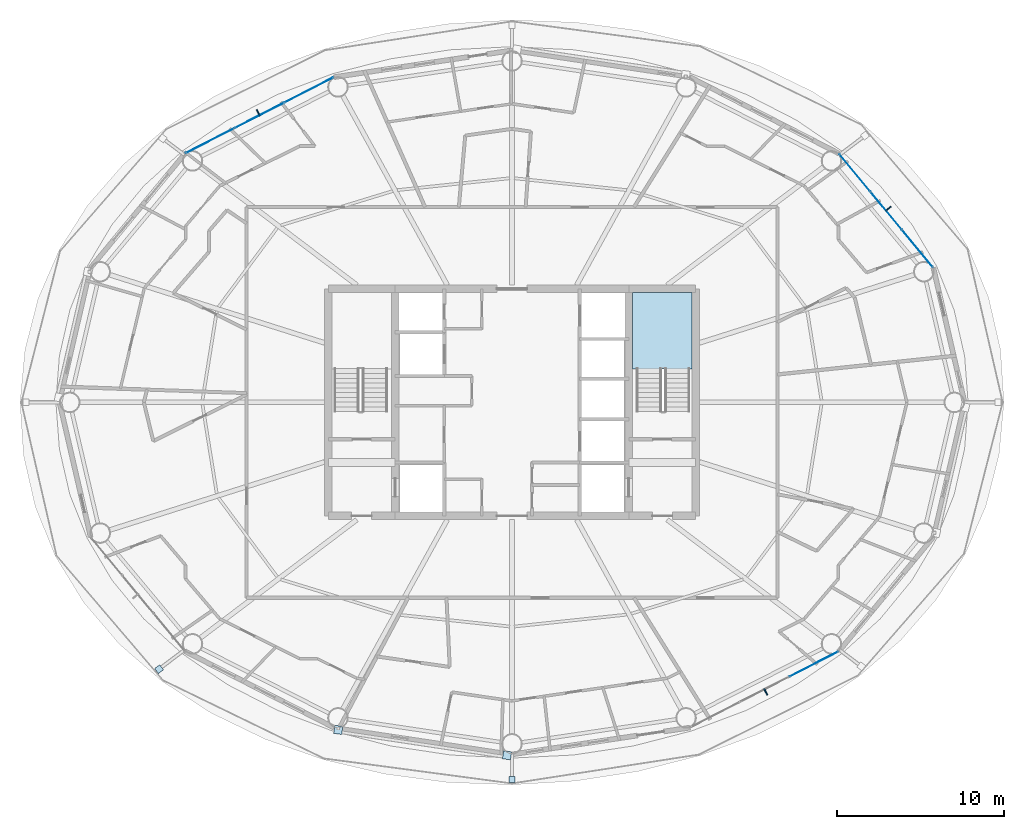
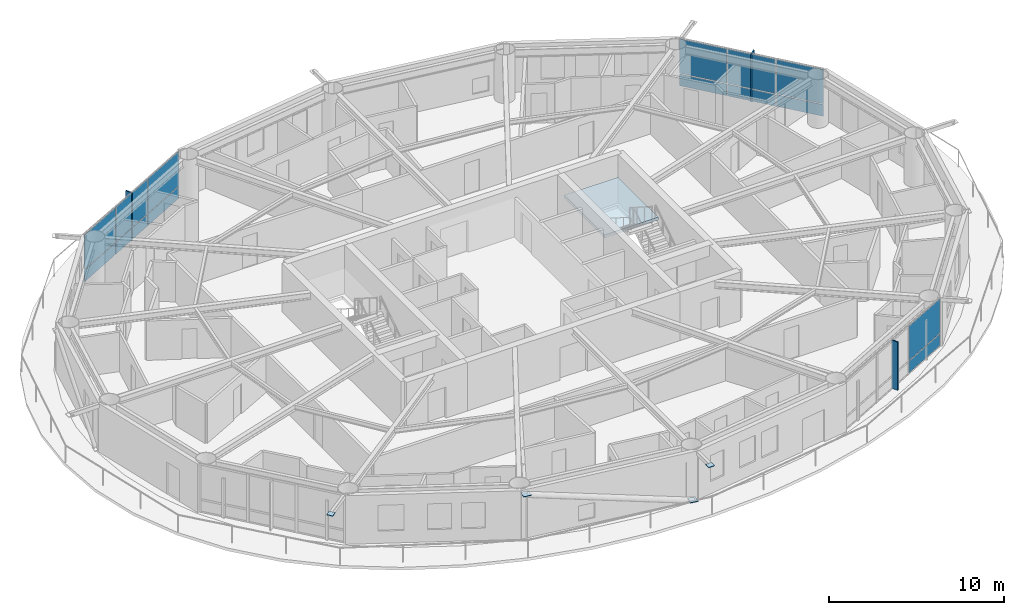
# One storey, part 18 of 27: 21 plates, 1 slab, 4 elements without a shape of their own.
"""IFC4 building model written with IfcOpenShell, lengths in metres."""

from ifc_helpers import new_model, si_unit, direction, frame, origin, origin_2d, place, context, subcontext, project, spatial, polyline, rectangle, outline, extrude, material, layer, layer_set, type_object, element, aggregate, save


model = new_model("IFC4")

# Units and contexts
model_context = context("Model", 3, precision=1e-05, world=origin(), true_north=direction((0.0, 1.0)))
body_context = subcontext(model_context, "Body", "Model", "MODEL_VIEW")
ifc_project = project(units=[si_unit("LENGTHUNIT", "METRE"), si_unit("AREAUNIT", "SQUARE_METRE"), si_unit("VOLUMEUNIT", "CUBIC_METRE"), si_unit("PLANEANGLEUNIT", "RADIAN"), si_unit("MASSUNIT", "GRAM", prefix="KILO")], contexts=[model_context])

# Site, building, storey
site_placement = place(None, origin())
site = spatial("IfcSite", under=ifc_project, at=site_placement, CompositionType="ELEMENT")
building_placement = place(site_placement, origin())
building = spatial("IfcBuilding", under=site, at=building_placement, Name="Sarneth Arch Tower", CompositionType="ELEMENT")
storey_placement = place(building_placement, frame((0.0, 0.0, 193.800048828125)))
storey = spatial("IfcBuildingStorey", under=building, at=storey_placement, Name="L49", CompositionType="ELEMENT", Elevation=193.800048828125)

# Curtain wall, plates
ifc_material_1 = material(Name="Anodised aluminium Type AA25 and solar-control low-e laminated IGU", Category="aluminium")
ifc_layer_1 = layer(ifc_material_1, 0.169921875)
ifc_layer_set_1 = layer_set([ifc_layer_1], Name="Anodised aluminium Type AA25 and solar-control low-e laminated IGU")
curtain_wall_type = type_object("IfcCurtainWallType", Name="CW-RES-MID", PredefinedType="NOTDEFINED", material=ifc_layer_set_1)
curtain_wall_1_placement = place(storey_placement, origin())
curtain_wall_1 = element("IfcCurtainWall", 1, at=curtain_wall_1_placement, inside=storey, type_object=curtain_wall_type, Name="L49 Unitised curtain wall facet 02", PredefinedType="NOTDEFINED")
ifc_material_2 = material(Name="Solar-control low-e laminated IGU", Category="glass")
ifc_layer_2 = layer(ifc_material_2, 0.028076171875)
ifc_layer_set_2 = layer_set([ifc_layer_2], Name="Solar-control low-e laminated IGU")
plate_type_1 = type_object("IfcPlateType", Name="CW-PANEL", PredefinedType="CURTAIN_PANEL", material=ifc_layer_set_2)
plate_1_placement = place(storey_placement, frame((72.280029296875, 51.21826171875, 0.059814453125), z_axis=(0.0, 0.0, 1.0), x_axis=(-0.637330298558, 0.770590741276, 0.0)))
plate_1 = element("IfcPlate", 2, at=plate_1_placement, type_object=plate_type_1, Name="Curtain wall glazed vision pane CW-L49-F02/P00-00", PredefinedType="CURTAIN_PANEL", context=body_context, shape_type="SweptSolid", body=[
    extrude(rectangle(XDim=2.8681640625, YDim=0.028076171875, at=origin_2d()), origin(), (0.0, 0.0, 1.0), 0.81005859375),
])
plate_2_placement = place(storey_placement, frame((72.280029296875, 51.21826171875, 0.93017578125), z_axis=(0.0, 0.0, 1.0), x_axis=(-0.637330298558, 0.770590741276, 0.0)))
plate_2 = element("IfcPlate", 3, at=plate_2_placement, type_object=plate_type_1, Name="Curtain wall glazed vision pane CW-L49-F02/P00-01", PredefinedType="CURTAIN_PANEL", context=body_context, shape_type="SweptSolid", body=[
    extrude(rectangle(XDim=2.8681640625, YDim=0.028076171875, at=origin_2d()), origin(), (0.0, 0.0, 1.0), 2.389892578125),
])
plate_3_placement = place(storey_placement, frame((70.404296875, 53.486328125, 0.059814453125), z_axis=(0.0, 0.0, 1.0), x_axis=(-0.637330298558, 0.770590741276, 0.0)))
plate_3 = element("IfcPlate", 4, at=plate_3_placement, type_object=plate_type_1, Name="Curtain wall glazed vision pane CW-L49-F02/P01-00", PredefinedType="CURTAIN_PANEL", context=body_context, shape_type="SweptSolid", body=[
    extrude(rectangle(XDim=2.898193359375, YDim=0.028076171875, at=origin_2d()), origin(), (0.0, 0.0, 1.0), 0.81005859375),
])
plate_4_placement = place(storey_placement, frame((70.404296875, 53.486328125, 0.93017578125), z_axis=(0.0, 0.0, 1.0), x_axis=(-0.637330298558, 0.770590741276, 0.0)))
plate_4 = element("IfcPlate", 5, at=plate_4_placement, type_object=plate_type_1, Name="Curtain wall glazed vision pane CW-L49-F02/P01-01", PredefinedType="CURTAIN_PANEL", context=body_context, shape_type="SweptSolid", body=[
    extrude(rectangle(XDim=2.898193359375, YDim=0.028076171875, at=origin_2d()), origin(), (0.0, 0.0, 1.0), 2.389892578125),
])
plate_5_placement = place(storey_placement, frame((68.5283203125, 55.75439453125, 0.059814453125), z_axis=(0.0, 0.0, 1.0), x_axis=(-0.637330298558, 0.770590741276, 0.0)))
plate_5 = element("IfcPlate", 6, at=plate_5_placement, type_object=plate_type_1, Name="Curtain wall glazed vision pane CW-L49-F02/P02-00", PredefinedType="CURTAIN_PANEL", context=body_context, shape_type="SweptSolid", body=[
    extrude(rectangle(XDim=2.8681640625, YDim=0.028076171875, at=origin_2d()), origin(), (0.0, 0.0, 1.0), 0.81005859375),
])
plate_6_placement = place(storey_placement, frame((68.5283203125, 55.75439453125, 0.93017578125), z_axis=(0.0, 0.0, 1.0), x_axis=(-0.637330298558, 0.770590741276, 0.0)))
plate_6 = element("IfcPlate", 7, at=plate_6_placement, type_object=plate_type_1, Name="Curtain wall glazed vision pane CW-L49-F02/P02-01", PredefinedType="CURTAIN_PANEL", context=body_context, shape_type="SweptSolid", body=[
    extrude(rectangle(XDim=2.8681640625, YDim=0.028076171875, at=origin_2d()), origin(), (0.0, 0.0, 1.0), 2.389892578125),
])
aggregate(curtain_wall_1, [plate_1, plate_2, plate_3, plate_4, plate_5, plate_6])

curtain_wall_2_placement = place(storey_placement, origin())
curtain_wall_2 = element("IfcCurtainWall", 8, at=curtain_wall_2_placement, inside=storey, type_object=curtain_wall_type, Name="L49 Unitised curtain wall facet 06", PredefinedType="NOTDEFINED")
plate_7_placement = place(storey_placement, frame((35.83837890625, 60.70703125, 0.059814453125), z_axis=(0.0, 0.0, 1.0), x_axis=(-0.88987293003, -0.456208470329, 0.0)))
plate_7 = element("IfcPlate", 9, at=plate_7_placement, type_object=plate_type_1, Name="Curtain wall glazed vision pane CW-L49-F06/P00-00", PredefinedType="CURTAIN_PANEL", context=body_context, shape_type="SweptSolid", body=[
    extrude(rectangle(XDim=3.248779296875, YDim=0.028076171875, at=origin_2d()), origin(), (0.0, 0.0, 1.0), 0.81005859375),
])
plate_8_placement = place(storey_placement, frame((35.83837890625, 60.70703125, 0.93017578125), z_axis=(0.0, 0.0, 1.0), x_axis=(-0.88987293003, -0.456208470329, 0.0)))
plate_8 = element("IfcPlate", 10, at=plate_8_placement, type_object=plate_type_1, Name="Curtain wall glazed vision pane CW-L49-F06/P00-01", PredefinedType="CURTAIN_PANEL", context=body_context, shape_type="SweptSolid", body=[
    extrude(rectangle(XDim=3.248779296875, YDim=0.028076171875, at=origin_2d()), origin(), (0.0, 0.0, 1.0), 2.389892578125),
])
plate_9_placement = place(storey_placement, frame((32.880615234375, 59.190673828125, 0.059814453125), z_axis=(0.0, 0.0, 1.0), x_axis=(-0.88987293003, -0.456208470329, 0.0)))
plate_9 = element("IfcPlate", 11, at=plate_9_placement, type_object=plate_type_1, Name="Curtain wall glazed vision pane CW-L49-F06/P01-00", PredefinedType="CURTAIN_PANEL", context=body_context, shape_type="SweptSolid", body=[
    extrude(rectangle(XDim=3.27880859375, YDim=0.028076171875, at=origin_2d()), origin(), (0.0, 0.0, 1.0), 0.81005859375),
])
plate_10_placement = place(storey_placement, frame((32.880615234375, 59.190673828125, 0.93017578125), z_axis=(0.0, 0.0, 1.0), x_axis=(-0.88987293003, -0.456208470329, 0.0)))
plate_10 = element("IfcPlate", 12, at=plate_10_placement, type_object=plate_type_1, Name="Curtain wall glazed vision pane CW-L49-F06/P01-01", PredefinedType="CURTAIN_PANEL", context=body_context, shape_type="SweptSolid", body=[
    extrude(rectangle(XDim=3.27880859375, YDim=0.028076171875, at=origin_2d()), origin(), (0.0, 0.0, 1.0), 2.389892578125),
])
plate_11_placement = place(storey_placement, frame((29.9228515625, 57.67431640625, 0.059814453125), z_axis=(0.0, 0.0, 1.0), x_axis=(-0.88987293003, -0.456208470329, 0.0)))
plate_11 = element("IfcPlate", 13, at=plate_11_placement, type_object=plate_type_1, Name="Curtain wall glazed vision pane CW-L49-F06/P02-00", PredefinedType="CURTAIN_PANEL", context=body_context, shape_type="SweptSolid", body=[
    extrude(rectangle(XDim=3.248779296875, YDim=0.028076171875, at=origin_2d()), origin(), (0.0, 0.0, 1.0), 0.81005859375),
])
plate_12_placement = place(storey_placement, frame((29.9228515625, 57.67431640625, 0.93017578125), z_axis=(0.0, 0.0, 1.0), x_axis=(-0.88987293003, -0.456208470329, 0.0)))
plate_12 = element("IfcPlate", 14, at=plate_12_placement, type_object=plate_type_1, Name="Curtain wall glazed vision pane CW-L49-F06/P02-01", PredefinedType="CURTAIN_PANEL", context=body_context, shape_type="SweptSolid", body=[
    extrude(rectangle(XDim=3.248779296875, YDim=0.028076171875, at=origin_2d()), origin(), (0.0, 0.0, 1.0), 2.389892578125),
])
aggregate(curtain_wall_2, [plate_7, plate_8, plate_9, plate_10, plate_11, plate_12])

curtain_wall_3_placement = place(storey_placement, origin())
curtain_wall_3 = element("IfcCurtainWall", 15, at=curtain_wall_3_placement, inside=storey, type_object=curtain_wall_type, Name="L49 Unitised curtain wall facet 14", PredefinedType="NOTDEFINED")
plate_13_placement = place(storey_placement, frame((66.0771484375, 26.32568359375, 0.059814453125), z_axis=(0.0, 0.0, 1.0), x_axis=(0.88987293003, 0.456208470329, 0.0)))
plate_13 = element("IfcPlate", 16, at=plate_13_placement, type_object=plate_type_1, Name="Curtain wall glazed vision pane CW-L49-F14/P02-00", PredefinedType="CURTAIN_PANEL", context=body_context, shape_type="SweptSolid", body=[
    extrude(rectangle(XDim=3.248779296875, YDim=0.028076171875, at=origin_2d()), origin(), (0.0, 0.0, 1.0), 0.81005859375),
])
plate_14_placement = place(storey_placement, frame((66.0771484375, 26.32568359375, 0.93017578125), z_axis=(0.0, 0.0, 1.0), x_axis=(0.88987293003, 0.456208470329, 0.0)))
plate_14 = element("IfcPlate", 17, at=plate_14_placement, type_object=plate_type_1, Name="Curtain wall glazed vision pane CW-L49-F14/P02-01", PredefinedType="CURTAIN_PANEL", context=body_context, shape_type="SweptSolid", body=[
    extrude(rectangle(XDim=3.248779296875, YDim=0.028076171875, at=origin_2d()), origin(), (0.0, 0.0, 1.0), 2.389892578125),
])
aggregate(curtain_wall_3, [plate_13, plate_14])

# Plates
ifc_material_3 = material(Name="Steel S355", Category="steel")
ifc_layer_3 = layer(ifc_material_3, 0.035888671875)
ifc_layer_set_3 = layer_set([ifc_layer_3], Name="Steel S355")
plate_type_2 = type_object("IfcPlateType", Name="PLT-GUSSET-30", PredefinedType="SHEET", material=ifc_layer_set_3)
plate_15_placement = place(storey_placement, frame((26.86181640625, 26.02490234375, 3.2021484375), z_axis=(0.0, 0.0, 1.0), x_axis=(-0.797794439539, -0.602929541689, 0.0)))
element("IfcPlate", 18, at=plate_15_placement, inside=storey, type_object=plate_type_2, Name="Steel end cap plate GP-1", PredefinedType="SHEET", context=body_context, shape_type="SweptSolid", body=[
    extrude(rectangle(XDim=0.3798828125, YDim=0.3798828125, at=origin_2d()), origin(), (0.0, 0.0, 1.0), 0.035888671875),
])
for number, where, z_axis, x_axis, name in (
    (19, (47.703369140625, 20.86474609375, 0.001953125), (0.0, 0.0, 1.0), (0.98883454203, -0.149017611339, 0.0), "Steel end cap plate GP-1"),
    (20, (37.595703125, 22.387451171875, 3.03271484375), (0.0, 0.0, 1.0), (0.98883454203, -0.149017611339, 0.0), "Steel end cap plate GP-1"),
):
    element("IfcPlate", number, at=place(storey_placement, frame(where, z_axis=z_axis, x_axis=x_axis)), inside=storey, type_object=plate_type_2, Name=name, PredefinedType="SHEET", context=body_context, shape_type="SweptSolid", body=[
        extrude(rectangle(XDim=0.486083984375, YDim=0.486083984375, at=origin_2d()), origin(), (0.0, 0.0, 1.0), 0.035888671875),
    ])
plate_16_placement = place(storey_placement, frame((48.0, 19.4130859375, 3.2021484375), z_axis=(0.0, 0.0, 1.0), x_axis=(0.0, -1.0, 0.0)))
element("IfcPlate", 21, at=plate_16_placement, inside=storey, type_object=plate_type_2, Name="Steel end cap plate GP-1", PredefinedType="SHEET", context=body_context, shape_type="SweptSolid", body=[
    extrude(rectangle(XDim=0.3798828125, YDim=0.3798828125, at=origin_2d()), origin(), (0.0, 0.0, 1.0), 0.035888671875),
])
ifc_material_4 = material(Name="Extruded glazed terracotta baguette fin on Aluminium 6063-T6 carrier", Category="masonry")
ifc_layer_4 = layer(ifc_material_4, 0.080078125)
ifc_layer_set_4 = layer_set([ifc_layer_4], Name="Extruded glazed terracotta baguette fin on Aluminium 6063-T6 carrier")
plate_type_3 = type_object("IfcPlateType", Name="SHADE-TERRA-FIN", PredefinedType="SHEET", material=ifc_layer_set_4)
for number, where, z_axis, x_axis, name in (
    (22, (70.53515625, 53.5947265625, 0.009765625), (0.0, 0.0, 1.0), (0.770624482513, 0.637289500111, 0.0), "L49 Terracotta vertical shading fin 02"),
    (23, (32.802978515625, 59.341796875, 0.009765625), (0.0, 0.0, 1.0), (-0.456166281949, 0.889894557357, 0.0), "L49 Terracotta vertical shading fin 06"),
    (24, (63.197021484375, 24.658203125, 0.009765625), (0.0, 0.0, 1.0), (0.456166281949, -0.889894557357, 0.0), "L49 Terracotta vertical shading fin 14"),
):
    element("IfcPlate", number, at=place(storey_placement, frame(where, z_axis=z_axis, x_axis=x_axis)), inside=storey, type_object=plate_type_3, Name=name, PredefinedType="SHEET", context=body_context, shape_type="SweptSolid", body=[
        extrude(rectangle(XDim=0.419921875, YDim=0.080078125, at=origin_2d()), origin(), (0.0, 0.0, 1.0), 3.360107421875),
    ])

# Stair, slab
ifc_material_5 = material(Name="Concrete C50/60", Category="concrete")
stair_type = type_object("IfcStairType", Name="STAIR-CORE-RC", PredefinedType="HALF_TURN_STAIR", material=ifc_material_5)
stair_placement = place(storey_placement, origin())
stair = element("IfcStair", 25, at=stair_placement, inside=storey, type_object=stair_type, Name="L49 Core Exit Stair 2", PredefinedType="HALF_TURN_STAIR")
ifc_material_6 = material(Name="Concrete C50/60", Category="concrete")
ifc_layer_5 = layer(ifc_material_6, 0.199951171875)
ifc_layer_set_5 = layer_set([ifc_layer_5], Name="Concrete C50/60")
slab_type = type_object("IfcSlabType", Name="SLAB-LANDING-200", PredefinedType="LANDING", material=ifc_layer_set_5)
slab_placement = place(storey_placement, frame((0.0, 0.0, 1.599853515625)))
slab = element("IfcSlab", 26, at=slab_placement, type_object=slab_type, Name="ST-2 landing 1", PredefinedType="LANDING", context=body_context, shape_type="SweptSolid", body=[
    extrude(outline(polyline([(55.22509765625, 43.985107421875), (58.77490234375, 43.985107421875), (58.77490234375, 48.574951171875), (55.22509765625, 48.574951171875), (55.22509765625, 43.985107421875)])), origin(), (0.0, 0.0, 1.0), 0.2001953125),
])
aggregate(stair, [slab])

save(model, "model.ifc")
